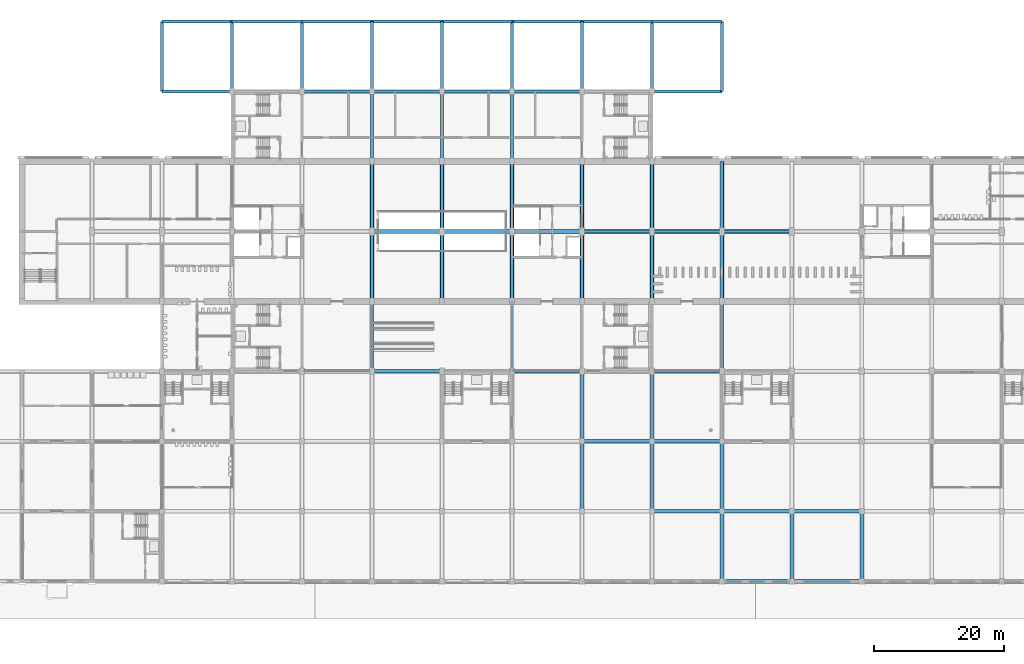
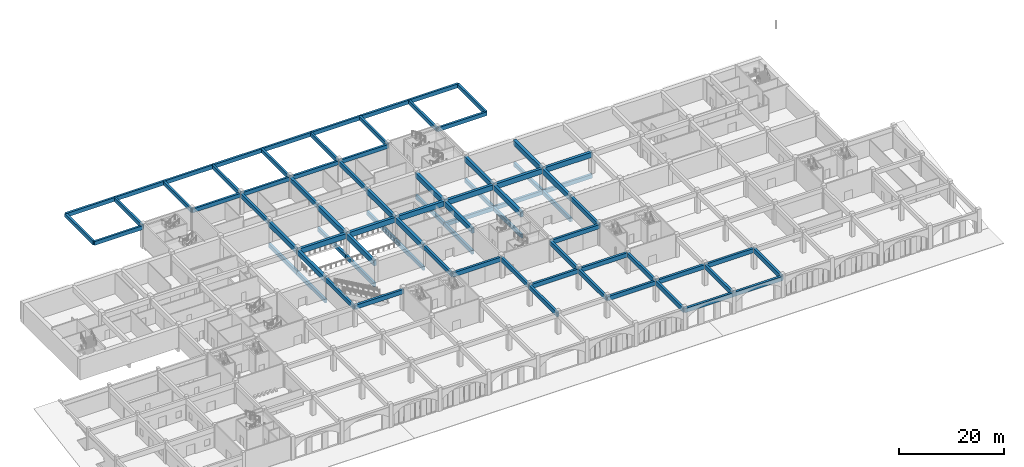
# One storey, part 16 of 101: 80 beams.
"""IFC4 building model written with IfcOpenShell, lengths in metres."""

import ifcopenshell
import ifcopenshell.guid

model = None  # the IFC model being written
_history = None  # IfcOwnerHistory: only IFC2X3 demands one
_inside = {}  # id of a spatial element -> (the spatial element, [elements in it])
_under = {}  # id of a project, library or spatial element -> (it, [spatial elements below it])
_declared = {}  # id of a project -> (the project, [libraries it declares])
_typed = {}  # id of a type object -> (the type object, [elements of that type])
_made_of = {}  # id of a material, layer set ... -> (it, [elements and type objects made of it])


def new_model(schema):
    """Start an empty IFC model of exactly this schema.

    Asked for "IFC4X3", IfcOpenShell would pick the latest addendum, in which some entities
    have other attributes; the version numbers below select the first issue.
    IFC2X3 requires an IfcOwnerHistory on every rooted entity: one is made here for all.
    """
    global model, _history
    if schema == "IFC4X3":
        model = ifcopenshell.file(schema_version=(4, 3, 0, 0))
    else:
        model = ifcopenshell.file(schema=schema)
    _inside.clear()
    _under.clear()
    _declared.clear()
    _typed.clear()
    _made_of.clear()
    _history = None
    if model.schema == "IFC2X3":
        org = make("IfcOrganization", Name="unknown")
        user = make(
            "IfcPersonAndOrganization",
            ThePerson=make("IfcPerson", FamilyName="unknown"),
            TheOrganization=org,
        )
        app = make(
            "IfcApplication",
            ApplicationDeveloper=org,
            Version="unknown",
            ApplicationFullName="unknown",
            ApplicationIdentifier="unknown",
        )
        _history = make(
            "IfcOwnerHistory",
            OwningUser=user,
            OwningApplication=app,
            ChangeAction="ADDED",
            CreationDate=0,
        )
    return model


def make(cls, **values):
    """One entity of the class cls with the attributes given. An attribute that is None is left unset."""
    return model.create_entity(
        cls, **{name: value for name, value in values.items() if value is not None}
    )


def rooted(cls, **values):
    """An entity with a GlobalId (a new one), such as an element, a storey or a relation."""
    return make(cls, GlobalId=ifcopenshell.guid.new(), OwnerHistory=_history, **values)


def si_unit(unit_type, name, prefix=None):
    """IfcSIUnit, for example si_unit("LENGTHUNIT", "METRE", prefix="MILLI")."""
    return make("IfcSIUnit", UnitType=unit_type, Prefix=prefix, Name=name)


def assignment(units):
    """IfcUnitAssignment: the units of a project."""
    return None if units is None else make("IfcUnitAssignment", Units=units)


def point(xyz):
    """IfcCartesianPoint."""
    return None if xyz is None else make("IfcCartesianPoint", Coordinates=xyz)


def direction(xyz):
    """IfcDirection."""
    return None if xyz is None else make("IfcDirection", DirectionRatios=xyz)


def frame(location, z_axis=None, x_axis=None):
    """IfcAxis2Placement3D, a coordinate frame: its origin and axes. An axis left out is left unset."""
    return make(
        "IfcAxis2Placement3D",
        Location=point(location),
        Axis=direction(z_axis),
        RefDirection=direction(x_axis),
    )


def frame_2d(location, x_axis=None):
    """IfcAxis2Placement2D, a coordinate frame in the plane: its origin and x axis."""
    return make(
        "IfcAxis2Placement2D", Location=point(location), RefDirection=direction(x_axis)
    )


def origin():
    """The frame at (0, 0, 0) with its axes left unset."""
    return frame((0.0, 0.0, 0.0))


def origin_2d():
    """The frame at (0, 0) in the plane with its x axis left unset."""
    return frame_2d((0.0, 0.0))


def place(relative_to, where):
    """IfcLocalPlacement: puts the frame where relative to a parent placement (None: the world)."""
    return make(
        "IfcLocalPlacement", PlacementRelTo=relative_to, RelativePlacement=where
    )


def context(
    kind, dimensions, precision=None, world=None, true_north=None, identifier=None
):
    """IfcGeometricRepresentationContext, for example the 3D "Model" context."""
    return make(
        "IfcGeometricRepresentationContext",
        ContextIdentifier=identifier,
        ContextType=kind,
        CoordinateSpaceDimension=dimensions,
        Precision=precision,
        WorldCoordinateSystem=world,
        TrueNorth=true_north,
    )


def subcontext(parent, identifier, kind, view, scale=None):
    """IfcGeometricRepresentationSubContext, for example "Body" below "Model"."""
    return make(
        "IfcGeometricRepresentationSubContext",
        ContextIdentifier=identifier,
        ContextType=kind,
        ParentContext=parent,
        TargetScale=scale,
        TargetView=view,
    )


def project(units=None, contexts=None):
    """IfcProject with its units and contexts."""
    return rooted(
        "IfcProject",
        Name="project",
        RepresentationContexts=contexts,
        UnitsInContext=assignment(units),
    )


def spatial(cls, under=None, at=None, **own):
    """A site, building, storey or space (cls), placed at a placement, below another one or the project."""
    s = rooted(cls, ObjectPlacement=at, **own)
    if under is not None:
        _under.setdefault(under.id(), (under, []))[1].append(s)
    return s


def profile(cls, at=None, kind="AREA", **sizes):
    """A parametric profile (cls). Its sizes go by their IFC names, for example OverallWidth=200.0."""
    return make(cls, ProfileType=kind, Position=at, **sizes)


def rectangle(**sizes):
    """IfcRectangleProfileDef."""
    return profile("IfcRectangleProfileDef", **sizes)


def extrude(swept, where, along, depth):
    """IfcExtrudedAreaSolid: the profile swept, set in the frame where, extruded along a direction by depth."""
    return make(
        "IfcExtrudedAreaSolid",
        SweptArea=swept,
        Position=where,
        ExtrudedDirection=direction(along),
        Depth=depth,
    )


def shape(context_of_items, identifier, shape_type, items):
    """IfcShapeRepresentation: the items that make up one representation, for example the "Body"."""
    return make(
        "IfcShapeRepresentation",
        ContextOfItems=context_of_items,
        RepresentationIdentifier=identifier,
        RepresentationType=shape_type,
        Items=items,
    )


def material(Name=None, Category=None):
    """IfcMaterial."""
    return make("IfcMaterial", Name=Name, Category=Category)


def material_profile(
    of_material, cross_section, Name=None, Category=None, Priority=None
):
    """IfcMaterialProfile: a cross section and its material."""
    return make(
        "IfcMaterialProfile",
        Name=Name,
        Material=of_material,
        Profile=cross_section,
        Priority=Priority,
        Category=Category,
    )


def profile_set(profiles, Name=None, composite=None):
    """IfcMaterialProfileSet."""
    return make(
        "IfcMaterialProfileSet",
        Name=Name,
        MaterialProfiles=profiles,
        CompositeProfile=composite,
    )


def made_of(thing, what):
    """Note that an element or type object is made of a material, layer set ...; save() writes the relation."""
    if what is not None:
        _made_of.setdefault(what.id(), (what, []))[1].append(thing)
    return thing


def type_object(cls, material=None, **own):
    """A type object (cls), such as IfcWallType, which elements share."""
    return made_of(rooted(cls, **own), material)


def element(
    cls,
    number,
    at=None,
    inside=None,
    cuts=None,
    type_object=None,
    material=None,
    context=None,
    identifier="Body",
    shape_type=None,
    held_by="IfcProductDefinitionShape",
    body=None,
    shapes=None,
    **own,
):
    """One element of the class cls, such as IfcWall. Its Tag is "e" and its number.

    at: its placement. inside: the storey or other place that contains it. cuts: it is an
    opening in that element (IfcRelVoidsElement). A single representation is given by context,
    identifier, shape_type and body (its items); several are given by shapes. held_by: the class
    of the entity that holds the representations. save() writes the other relations.
    """
    e = rooted(cls, Tag="e%d" % number, ObjectPlacement=at, **own)
    if body is not None:
        shapes = [shape(context, identifier, shape_type, body)]
    if shapes is not None:
        e.Representation = make(held_by, Representations=shapes)
    if inside is not None:
        _inside.setdefault(inside.id(), (inside, []))[1].append(e)
    if cuts is not None:
        rooted(
            "IfcRelVoidsElement", RelatingBuildingElement=cuts, RelatedOpeningElement=e
        )
    if type_object is not None:
        _typed.setdefault(type_object.id(), (type_object, []))[1].append(e)
    return made_of(e, material)


def aggregate(whole, parts):
    """IfcRelAggregates: a whole, such as a stair, and the parts it consists of."""
    return rooted("IfcRelAggregates", RelatingObject=whole, RelatedObjects=parts)


def save(model, path):
    """Write the relations noted so far, then the file.

    IfcRelAggregates (storeys below a building ...), IfcRelContainedInSpatialStructure (elements
    in a storey), IfcRelDefinesByType, IfcRelAssociatesMaterial and IfcRelDeclares: one each for
    every whole, place, type object, material and project.
    """
    for whole, parts in _under.values():
        aggregate(whole, parts)
    for where, things in _inside.values():
        rooted(
            "IfcRelContainedInSpatialStructure",
            RelatedElements=things,
            RelatingStructure=where,
        )
    for kind, things in _typed.values():
        rooted("IfcRelDefinesByType", RelatedObjects=things, RelatingType=kind)
    for what, things in _made_of.values():
        rooted("IfcRelAssociatesMaterial", RelatedObjects=things, RelatingMaterial=what)
    for by, libraries in _declared.values():
        rooted("IfcRelDeclares", RelatingContext=by, RelatedDefinitions=libraries)
    model.write(path)


model = new_model("IFC4")

# Units and contexts
model_context = context("Model", 3, precision=1e-05, world=origin(), true_north=direction((0.0, 1.0)))
body_context = subcontext(model_context, "Body", "Model", "MODEL_VIEW")
ifc_project = project(units=[si_unit("LENGTHUNIT", "METRE"), si_unit("AREAUNIT", "SQUARE_METRE"), si_unit("VOLUMEUNIT", "CUBIC_METRE"), si_unit("PLANEANGLEUNIT", "RADIAN"), si_unit("MASSUNIT", "GRAM", prefix="KILO")], contexts=[model_context])

# Site, building, storey
site_placement = place(None, origin())
site = spatial("IfcSite", under=ifc_project, at=site_placement, CompositionType="ELEMENT")
building_placement = place(site_placement, origin())
building = spatial("IfcBuilding", under=site, at=building_placement, Name="Magnolia Steps Interchange", CompositionType="ELEMENT")
storey_placement = place(building_placement, frame((0.0, 0.0, -5.39990234375)))
storey = spatial("IfcBuildingStorey", under=building, at=storey_placement, Name="B1", CompositionType="ELEMENT", Elevation=-5.39990234375)

# Beams
ifc_material_1 = material(Name="Concrete C40", Category="concrete")
ifc_material_profile_1 = material_profile(ifc_material_1, rectangle(XDim=0.449951171875, YDim=0.89990234375, at=origin_2d()), Name="RC450x900")
ifc_profile_set_1 = profile_set([ifc_material_profile_1], Name="Concrete C40")
beam_type_1 = type_object("IfcBeamType", Name="RC beam 450x900", PredefinedType="BEAM", material=ifc_profile_set_1)
for number, where, z_axis, x_axis, name in (
    (1, (118.0, 85.60009765625, 4.349853515625), (1.0, 0.0, 0.0), (0.0, 1.0, 0.0), "Beam L00 H 11-12"),
    (2, (42.39990234375, 85.60009765625, 4.349853515625), (1.0, 0.0, 0.0), (0.0, 1.0, 0.0), "Beam L00 H 4-5"),
    (3, (64.0, 85.60009765625, 4.349853515625), (1.0, 0.0, 0.0), (0.0, 1.0, 0.0), "Beam L00 H 6-7"),
    (4, (74.800048828125, 85.60009765625, 4.349853515625), (1.0, 0.0, 0.0), (0.0, 1.0, 0.0), "Beam L00 H 7-8"),
):
    element("IfcBeam", number, at=place(storey_placement, frame(where, z_axis=z_axis, x_axis=x_axis)), inside=storey, type_object=beam_type_1, Name=name, PredefinedType="BEAM", context=body_context, shape_type="SweptSolid", body=[
        extrude(rectangle(XDim=0.449951171875, YDim=0.89990234375, at=origin_2d()), origin(), (0.0, 0.0, 1.0), 10.800048828125),
    ])
beam_1_placement = place(storey_placement, frame((85.60009765625, 85.60009765625, 4.349853515625), z_axis=(1.0, 0.0, 0.0), x_axis=(0.0, 1.0, 0.0)))
element("IfcBeam", 5, at=beam_1_placement, inside=storey, type_object=beam_type_1, Name="Beam L00 H 8-9", PredefinedType="BEAM", context=body_context, shape_type="SweptSolid", body=[
    extrude(rectangle(XDim=0.449951171875, YDim=0.89990234375, at=origin_2d()), origin(), (0.0, 0.0, 1.0), 10.7998046875),
])
for number, where, z_axis, x_axis, name in (
    (6, (96.39990234375, 85.60009765625, 4.349853515625), (1.0, 0.0, 0.0), (0.0, 1.0, 0.0), "Beam L00 H 9-10"),
    (7, (107.199951171875, 96.39990234375, 4.349853515625), (1.0, 0.0, 0.0), (0.0, 1.0, 0.0), "Beam L00 I 10-11"),
    (8, (118.0, 96.39990234375, 4.349853515625), (1.0, 0.0, 0.0), (0.0, 1.0, 0.0), "Beam L00 I 11-12"),
    (9, (42.39990234375, 96.39990234375, 4.349853515625), (1.0, 0.0, 0.0), (0.0, 1.0, 0.0), "Beam L00 I 4-5"),
    (10, (53.199951171875, 96.39990234375, 4.349853515625), (1.0, 0.0, 0.0), (0.0, 1.0, 0.0), "Beam L00 I 5-6"),
    (11, (64.0, 96.39990234375, 4.349853515625), (1.0, 0.0, 0.0), (0.0, 1.0, 0.0), "Beam L00 I 6-7"),
    (12, (74.800048828125, 96.39990234375, 4.349853515625), (1.0, 0.0, 0.0), (0.0, 1.0, 0.0), "Beam L00 I 7-8"),
):
    element("IfcBeam", number, at=place(storey_placement, frame(where, z_axis=z_axis, x_axis=x_axis)), inside=storey, type_object=beam_type_1, Name=name, PredefinedType="BEAM", context=body_context, shape_type="SweptSolid", body=[
        extrude(rectangle(XDim=0.449951171875, YDim=0.89990234375, at=origin_2d()), origin(), (0.0, 0.0, 1.0), 10.800048828125),
    ])
beam_2_placement = place(storey_placement, frame((85.60009765625, 96.39990234375, 4.349853515625), z_axis=(1.0, 0.0, 0.0), x_axis=(0.0, 1.0, 0.0)))
element("IfcBeam", 13, at=beam_2_placement, inside=storey, type_object=beam_type_1, Name="Beam L00 I 8-9", PredefinedType="BEAM", context=body_context, shape_type="SweptSolid", body=[
    extrude(rectangle(XDim=0.449951171875, YDim=0.89990234375, at=origin_2d()), origin(), (0.0, 0.0, 1.0), 10.7998046875),
])
beam_3_placement = place(storey_placement, frame((96.39990234375, 96.39990234375, 4.349853515625), z_axis=(1.0, 0.0, 0.0), x_axis=(0.0, 1.0, 0.0)))
element("IfcBeam", 14, at=beam_3_placement, inside=storey, type_object=beam_type_1, Name="Beam L00 I 9-10", PredefinedType="BEAM", context=body_context, shape_type="SweptSolid", body=[
    extrude(rectangle(XDim=0.449951171875, YDim=0.89990234375, at=origin_2d()), origin(), (0.0, 0.0, 1.0), 10.800048828125),
])
for number, where, z_axis, x_axis, name in (
    (15, (107.199951171875, 85.60009765625, 4.349853515625), (0.0, 1.0, 0.0), (-1.0, 0.0, 0.0), "Beam L00 10 H-I"),
    (16, (118.0, 85.60009765625, 4.349853515625), (0.0, 1.0, 0.0), (-1.0, 0.0, 0.0), "Beam L00 11 H-I"),
    (17, (128.800048828125, 85.60009765625, 4.349853515625), (0.0, 1.0, 0.0), (-1.0, 0.0, 0.0), "Beam L00 12 H-I"),
    (18, (42.39990234375, 85.60009765625, 4.349853515625), (0.0, 1.0, 0.0), (-1.0, 0.0, 0.0), "Beam L00 4 H-I"),
    (19, (53.199951171875, 85.60009765625, 4.349853515625), (0.0, 1.0, 0.0), (-1.0, 0.0, 0.0), "Beam L00 5 H-I"),
    (20, (64.0, 85.60009765625, 4.349853515625), (0.0, 1.0, 0.0), (-1.0, 0.0, 0.0), "Beam L00 6 H-I"),
    (21, (74.800048828125, 85.60009765625, 4.349853515625), (0.0, 1.0, 0.0), (-1.0, 0.0, 0.0), "Beam L00 7 H-I"),
    (22, (85.60009765625, 85.60009765625, 4.349853515625), (0.0, 1.0, 0.0), (-1.0, 0.0, 0.0), "Beam L00 8 H-I"),
    (23, (96.39990234375, 85.60009765625, 4.349853515625), (0.0, 1.0, 0.0), (-1.0, 0.0, 0.0), "Beam L00 9 H-I"),
):
    element("IfcBeam", number, at=place(storey_placement, frame(where, z_axis=z_axis, x_axis=x_axis)), inside=storey, type_object=beam_type_1, Name=name, PredefinedType="BEAM", context=body_context, shape_type="SweptSolid", body=[
        extrude(rectangle(XDim=0.449951171875, YDim=0.89990234375, at=origin_2d()), origin(), (0.0, 0.0, 1.0), 10.7998046875),
    ])
ifc_material_2 = material(Name="Concrete C40", Category="concrete")
ifc_material_profile_2 = material_profile(ifc_material_2, rectangle(XDim=0.5, YDim=1.0, at=origin_2d()), Name="RC500x1000")
ifc_profile_set_2 = profile_set([ifc_material_profile_2], Name="Concrete C40")
beam_type_2 = type_object("IfcBeamType", Name="RC beam 500x1000", PredefinedType="BEAM", material=ifc_profile_set_2)
beam_4_placement = place(storey_placement, frame((128.800048828125, 10.0, 4.2998046875), z_axis=(1.0, 0.0, 0.0), x_axis=(0.0, 1.0, 0.0)))
element("IfcBeam", 24, at=beam_4_placement, inside=storey, type_object=beam_type_2, Name="Beam L00 A 12-13", PredefinedType="BEAM", context=body_context, shape_type="SweptSolid", body=[
    extrude(rectangle(XDim=0.5, YDim=1.0, at=origin_2d()), origin(), (0.0, 0.0, 1.0), 10.800048828125),
])
beam_5_placement = place(storey_placement, frame((139.60009765625, 10.0, 4.2998046875), z_axis=(1.0, 0.0, 0.0), x_axis=(0.0, 1.0, 0.0)))
element("IfcBeam", 25, at=beam_5_placement, inside=storey, type_object=beam_type_2, Name="Beam L00 A 13-14", PredefinedType="BEAM", context=body_context, shape_type="SweptSolid", body=[
    extrude(rectangle(XDim=0.5, YDim=1.0, at=origin_2d()), origin(), (0.0, 0.0, 1.0), 10.7998046875),
])
for number, where, z_axis, x_axis, name in (
    (26, (118.0, 20.800048828125, 4.2998046875), (1.0, 0.0, 0.0), (0.0, 1.0, 0.0), "Beam L00 B 11-12"),
    (27, (128.800048828125, 20.800048828125, 4.2998046875), (1.0, 0.0, 0.0), (0.0, 1.0, 0.0), "Beam L00 B 12-13"),
):
    element("IfcBeam", number, at=place(storey_placement, frame(where, z_axis=z_axis, x_axis=x_axis)), inside=storey, type_object=beam_type_2, Name=name, PredefinedType="BEAM", context=body_context, shape_type="SweptSolid", body=[
        extrude(rectangle(XDim=0.5, YDim=1.0, at=origin_2d()), origin(), (0.0, 0.0, 1.0), 10.800048828125),
    ])
beam_6_placement = place(storey_placement, frame((139.60009765625, 20.800048828125, 4.2998046875), z_axis=(1.0, 0.0, 0.0), x_axis=(0.0, 1.0, 0.0)))
element("IfcBeam", 28, at=beam_6_placement, inside=storey, type_object=beam_type_2, Name="Beam L00 B 13-14", PredefinedType="BEAM", context=body_context, shape_type="SweptSolid", body=[
    extrude(rectangle(XDim=0.5, YDim=1.0, at=origin_2d()), origin(), (0.0, 0.0, 1.0), 10.7998046875),
])
for number, where, z_axis, x_axis, name in (
    (29, (107.199951171875, 31.60009765625, 4.2998046875), (1.0, 0.0, 0.0), (0.0, 1.0, 0.0), "Beam L00 C 10-11"),
    (30, (118.0, 31.60009765625, 4.2998046875), (1.0, 0.0, 0.0), (0.0, 1.0, 0.0), "Beam L00 C 11-12"),
    (31, (118.0, 42.39990234375, 4.2998046875), (1.0, 0.0, 0.0), (0.0, 1.0, 0.0), "Beam L00 D 11-12"),
    (32, (74.800048828125, 42.39990234375, 4.2998046875), (1.0, 0.0, 0.0), (0.0, 1.0, 0.0), "Beam L00 D 7-8"),
    (33, (96.39990234375, 42.39990234375, 4.2998046875), (1.0, 0.0, 0.0), (0.0, 1.0, 0.0), "Beam L00 D 9-10"),
    (34, (107.199951171875, 20.800048828125, 4.2998046875), (0.0, 1.0, 0.0), (-1.0, 0.0, 0.0), "Beam L00 10 B-C"),
):
    element("IfcBeam", number, at=place(storey_placement, frame(where, z_axis=z_axis, x_axis=x_axis)), inside=storey, type_object=beam_type_2, Name=name, PredefinedType="BEAM", context=body_context, shape_type="SweptSolid", body=[
        extrude(rectangle(XDim=0.5, YDim=1.0, at=origin_2d()), origin(), (0.0, 0.0, 1.0), 10.800048828125),
    ])
beam_7_placement = place(storey_placement, frame((107.199951171875, 31.60009765625, 4.2998046875), z_axis=(0.0, 1.0, 0.0), x_axis=(-1.0, 0.0, 0.0)))
element("IfcBeam", 35, at=beam_7_placement, inside=storey, type_object=beam_type_2, Name="Beam L00 10 C-D", PredefinedType="BEAM", context=body_context, shape_type="SweptSolid", body=[
    extrude(rectangle(XDim=0.5, YDim=1.0, at=origin_2d()), origin(), (0.0, 0.0, 1.0), 10.7998046875),
])
beam_8_placement = place(storey_placement, frame((118.0, 20.800048828125, 4.2998046875), z_axis=(0.0, 1.0, 0.0), x_axis=(-1.0, 0.0, 0.0)))
element("IfcBeam", 36, at=beam_8_placement, inside=storey, type_object=beam_type_2, Name="Beam L00 11 B-C", PredefinedType="BEAM", context=body_context, shape_type="SweptSolid", body=[
    extrude(rectangle(XDim=0.5, YDim=1.0, at=origin_2d()), origin(), (0.0, 0.0, 1.0), 10.800048828125),
])
beam_9_placement = place(storey_placement, frame((118.0, 31.60009765625, 4.2998046875), z_axis=(0.0, 1.0, 0.0), x_axis=(-1.0, 0.0, 0.0)))
element("IfcBeam", 37, at=beam_9_placement, inside=storey, type_object=beam_type_2, Name="Beam L00 11 C-D", PredefinedType="BEAM", context=body_context, shape_type="SweptSolid", body=[
    extrude(rectangle(XDim=0.5, YDim=1.0, at=origin_2d()), origin(), (0.0, 0.0, 1.0), 10.7998046875),
])
for number, where, z_axis, x_axis, name in (
    (38, (128.800048828125, 10.0, 4.2998046875), (0.0, 1.0, 0.0), (-1.0, 0.0, 0.0), "Beam L00 12 A-B"),
    (39, (128.800048828125, 20.800048828125, 4.2998046875), (0.0, 1.0, 0.0), (-1.0, 0.0, 0.0), "Beam L00 12 B-C"),
    (40, (128.800048828125, 42.39990234375, 4.2998046875), (0.0, 1.0, 0.0), (-1.0, 0.0, 0.0), "Beam L00 12 D-E"),
    (41, (139.60009765625, 10.0, 4.2998046875), (0.0, 1.0, 0.0), (-1.0, 0.0, 0.0), "Beam L00 13 A-B"),
    (42, (150.39990234375, 10.0, 4.2998046875), (0.0, 1.0, 0.0), (-1.0, 0.0, 0.0), "Beam L00 14 A-B"),
    (43, (74.800048828125, 42.39990234375, 4.2998046875), (0.0, 1.0, 0.0), (-1.0, 0.0, 0.0), "Beam L00 7 D-E"),
    (44, (74.800048828125, 74.800048828125, 4.2998046875), (0.0, 1.0, 0.0), (-1.0, 0.0, 0.0), "Beam L00 7 G-H"),
    (45, (85.60009765625, 74.800048828125, 4.2998046875), (0.0, 1.0, 0.0), (-1.0, 0.0, 0.0), "Beam L00 8 G-H"),
    (46, (96.39990234375, 42.39990234375, 4.2998046875), (0.0, 1.0, 0.0), (-1.0, 0.0, 0.0), "Beam L00 9 D-E"),
    (47, (96.39990234375, 74.800048828125, 4.2998046875), (0.0, 1.0, 0.0), (-1.0, 0.0, 0.0), "Beam L00 9 G-H"),
):
    element("IfcBeam", number, at=place(storey_placement, frame(where, z_axis=z_axis, x_axis=x_axis)), inside=storey, type_object=beam_type_2, Name=name, PredefinedType="BEAM", context=body_context, shape_type="SweptSolid", body=[
        extrude(rectangle(XDim=0.5, YDim=1.0, at=origin_2d()), origin(), (0.0, 0.0, 1.0), 10.800048828125),
    ])
ifc_material_3 = material(Name="Concrete C40", Category="concrete")
ifc_material_profile_3 = material_profile(ifc_material_3, rectangle(XDim=0.5, YDim=0.89990234375, at=origin_2d()), Name="RC500x900")
ifc_profile_set_3 = profile_set([ifc_material_profile_3], Name="Concrete C40")
beam_type_3 = type_object("IfcBeamType", Name="RC beam 500x900", PredefinedType="BEAM", material=ifc_profile_set_3)
for number, where, z_axis, x_axis, name in (
    (48, (107.199951171875, 64.0, -0.85009765625), (1.0, 0.0, 0.0), (0.0, 1.0, 0.0), "Beam B1 F 10-11"),
    (49, (118.0, 64.0, -0.85009765625), (1.0, 0.0, 0.0), (0.0, 1.0, 0.0), "Beam B1 F 11-12"),
    (50, (128.800048828125, 64.0, -0.85009765625), (1.0, 0.0, 0.0), (0.0, 1.0, 0.0), "Beam B1 F 12-13"),
    (51, (107.199951171875, 53.199951171875, -0.85009765625), (0.0, 1.0, 0.0), (-1.0, 0.0, 0.0), "Beam B1 10 E-F"),
    (52, (107.199951171875, 64.0, -0.85009765625), (0.0, 1.0, 0.0), (-1.0, 0.0, 0.0), "Beam B1 10 F-G"),
    (53, (118.0, 53.199951171875, -0.85009765625), (0.0, 1.0, 0.0), (-1.0, 0.0, 0.0), "Beam B1 11 E-F"),
    (54, (118.0, 64.0, -0.85009765625), (0.0, 1.0, 0.0), (-1.0, 0.0, 0.0), "Beam B1 11 F-G"),
    (55, (128.800048828125, 53.199951171875, -0.85009765625), (0.0, 1.0, 0.0), (-1.0, 0.0, 0.0), "Beam B1 12 E-F"),
    (56, (128.800048828125, 64.0, -0.85009765625), (0.0, 1.0, 0.0), (-1.0, 0.0, 0.0), "Beam B1 12 F-G"),
    (57, (74.800048828125, 53.199951171875, -0.85009765625), (0.0, 1.0, 0.0), (-1.0, 0.0, 0.0), "Beam B1 7 E-F"),
    (58, (74.800048828125, 64.0, -0.85009765625), (0.0, 1.0, 0.0), (-1.0, 0.0, 0.0), "Beam B1 7 F-G"),
    (59, (85.60009765625, 53.199951171875, -0.85009765625), (0.0, 1.0, 0.0), (-1.0, 0.0, 0.0), "Beam B1 8 E-F"),
    (60, (85.60009765625, 64.0, -0.85009765625), (0.0, 1.0, 0.0), (-1.0, 0.0, 0.0), "Beam B1 8 F-G"),
    (61, (96.39990234375, 53.199951171875, -0.85009765625), (0.0, 1.0, 0.0), (-1.0, 0.0, 0.0), "Beam B1 9 E-F"),
    (62, (96.39990234375, 64.0, -0.85009765625), (0.0, 1.0, 0.0), (-1.0, 0.0, 0.0), "Beam B1 9 F-G"),
):
    element("IfcBeam", number, at=place(storey_placement, frame(where, z_axis=z_axis, x_axis=x_axis)), inside=storey, type_object=beam_type_3, Name=name, PredefinedType="BEAM", context=body_context, shape_type="SweptSolid", body=[
        extrude(rectangle(XDim=0.5, YDim=0.89990234375, at=origin_2d()), origin(), (0.0, 0.0, 1.0), 10.800048828125),
    ])
ifc_material_4 = material(Name="Concrete C40", Category="concrete")
ifc_material_profile_4 = material_profile(ifc_material_4, rectangle(XDim=0.60009765625, YDim=1.199951171875, at=origin_2d()), Name="RC600x1200")
ifc_profile_set_4 = profile_set([ifc_material_profile_4], Name="Concrete C40")
beam_type_4 = type_object("IfcBeamType", Name="RC beam 600x1200", PredefinedType="BEAM", material=ifc_profile_set_4)
for number, where, z_axis, x_axis, name in (
    (63, (107.199951171875, 64.0, 4.199951171875), (1.0, 0.0, 0.0), (0.0, 1.0, 0.0), "Beam L00 F 10-11"),
    (64, (118.0, 64.0, 4.199951171875), (1.0, 0.0, 0.0), (0.0, 1.0, 0.0), "Beam L00 F 11-12"),
    (65, (128.800048828125, 64.0, 4.199951171875), (1.0, 0.0, 0.0), (0.0, 1.0, 0.0), "Beam L00 F 12-13"),
    (66, (74.800048828125, 64.0, 4.199951171875), (1.0, 0.0, 0.0), (0.0, 1.0, 0.0), "Beam L00 F 7-8"),
):
    element("IfcBeam", number, at=place(storey_placement, frame(where, z_axis=z_axis, x_axis=x_axis)), inside=storey, type_object=beam_type_4, Name=name, PredefinedType="BEAM", context=body_context, shape_type="SweptSolid", body=[
        extrude(rectangle(XDim=0.60009765625, YDim=1.199951171875, at=origin_2d()), origin(), (0.0, 0.0, 1.0), 10.800048828125),
    ])
beam_10_placement = place(storey_placement, frame((85.60009765625, 64.0, 4.199951171875), z_axis=(1.0, 0.0, 0.0), x_axis=(0.0, 1.0, 0.0)))
element("IfcBeam", 67, at=beam_10_placement, inside=storey, type_object=beam_type_4, Name="Beam L00 F 8-9", PredefinedType="BEAM", context=body_context, shape_type="SweptSolid", body=[
    extrude(rectangle(XDim=0.60009765625, YDim=1.199951171875, at=origin_2d()), origin(), (0.0, 0.0, 1.0), 10.7998046875),
])
for number, where, z_axis, x_axis, name in (
    (68, (96.39990234375, 64.0, 4.199951171875), (1.0, 0.0, 0.0), (0.0, 1.0, 0.0), "Beam L00 F 9-10"),
    (69, (107.199951171875, 53.199951171875, 4.199951171875), (0.0, 1.0, 0.0), (-1.0, 0.0, 0.0), "Beam L00 10 E-F"),
    (70, (107.199951171875, 64.0, 4.199951171875), (0.0, 1.0, 0.0), (-1.0, 0.0, 0.0), "Beam L00 10 F-G"),
    (71, (118.0, 53.199951171875, 4.199951171875), (0.0, 1.0, 0.0), (-1.0, 0.0, 0.0), "Beam L00 11 E-F"),
    (72, (118.0, 64.0, 4.199951171875), (0.0, 1.0, 0.0), (-1.0, 0.0, 0.0), "Beam L00 11 F-G"),
    (73, (128.800048828125, 53.199951171875, 4.199951171875), (0.0, 1.0, 0.0), (-1.0, 0.0, 0.0), "Beam L00 12 E-F"),
    (74, (128.800048828125, 64.0, 4.199951171875), (0.0, 1.0, 0.0), (-1.0, 0.0, 0.0), "Beam L00 12 F-G"),
    (75, (74.800048828125, 53.199951171875, 4.199951171875), (0.0, 1.0, 0.0), (-1.0, 0.0, 0.0), "Beam L00 7 E-F"),
    (76, (74.800048828125, 64.0, 4.199951171875), (0.0, 1.0, 0.0), (-1.0, 0.0, 0.0), "Beam L00 7 F-G"),
    (77, (85.60009765625, 53.199951171875, 4.199951171875), (0.0, 1.0, 0.0), (-1.0, 0.0, 0.0), "Beam L00 8 E-F"),
    (78, (85.60009765625, 64.0, 4.199951171875), (0.0, 1.0, 0.0), (-1.0, 0.0, 0.0), "Beam L00 8 F-G"),
    (79, (96.39990234375, 53.199951171875, 4.199951171875), (0.0, 1.0, 0.0), (-1.0, 0.0, 0.0), "Beam L00 9 E-F"),
    (80, (96.39990234375, 64.0, 4.199951171875), (0.0, 1.0, 0.0), (-1.0, 0.0, 0.0), "Beam L00 9 F-G"),
):
    element("IfcBeam", number, at=place(storey_placement, frame(where, z_axis=z_axis, x_axis=x_axis)), inside=storey, type_object=beam_type_4, Name=name, PredefinedType="BEAM", context=body_context, shape_type="SweptSolid", body=[
        extrude(rectangle(XDim=0.60009765625, YDim=1.199951171875, at=origin_2d()), origin(), (0.0, 0.0, 1.0), 10.800048828125),
    ])

save(model, "model.ifc")
